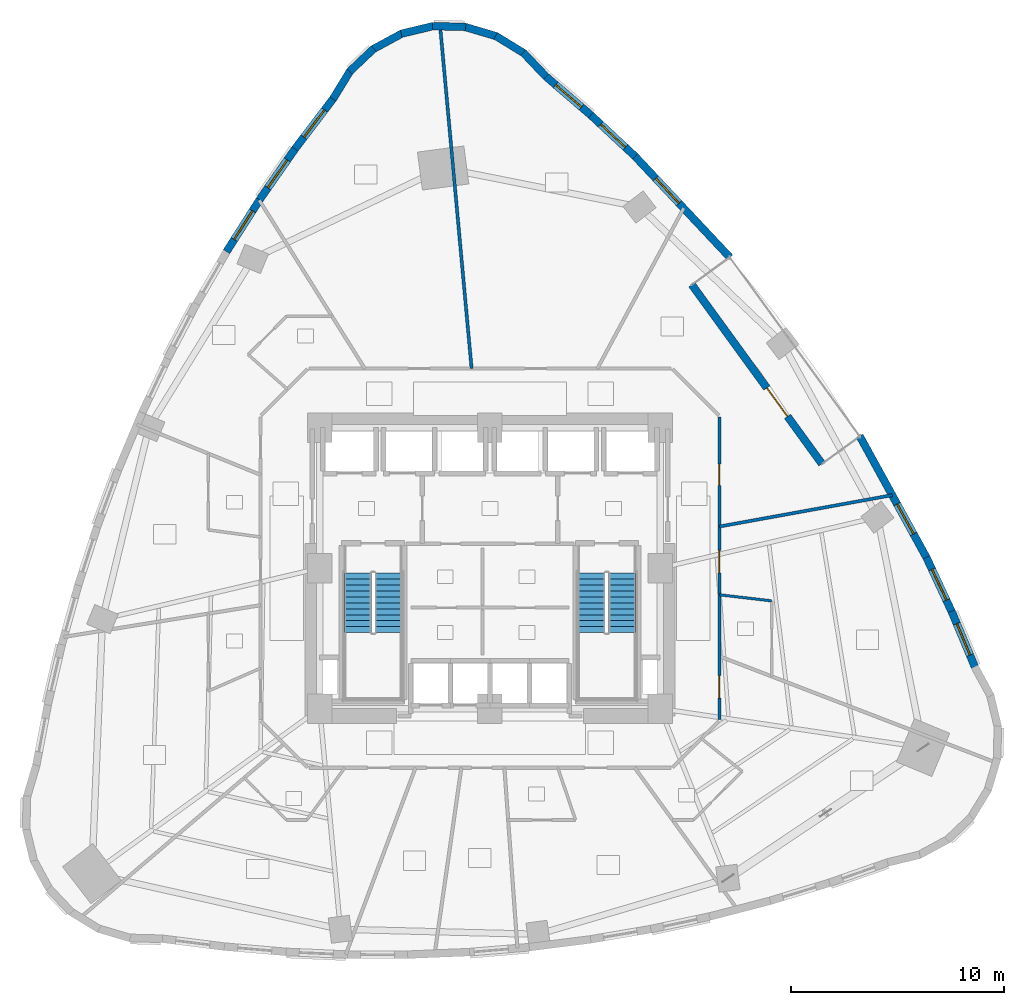
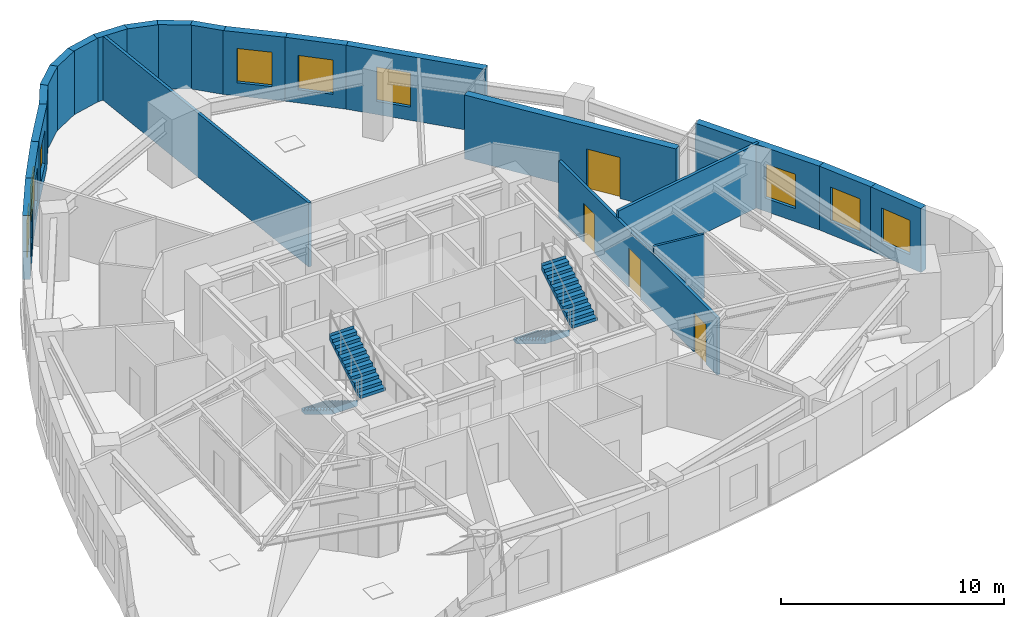
# One storey, part 12 of 15: 22 walls, 9 windows, 4 doors, 4 stair flights, 13 openings, 2 elements without a shape of their own.
"""IFC4 building model written with IfcOpenShell, lengths in metres."""

from ifc_helpers import new_model, si_unit, direction, frame, frame_2d, origin, place, context, subcontext, project, spatial, polyline, rectangle, outline, extrude, material, layer, layer_set, type_object, element, fill, aggregate, save


model = new_model("IFC4")

# Units and contexts
model_context = context("Model", 3, precision=1e-05, world=origin(), true_north=direction((0.0, 1.0)))
body_context = subcontext(model_context, "Body", "Model", "MODEL_VIEW")
ifc_project = project(units=[si_unit("LENGTHUNIT", "METRE"), si_unit("AREAUNIT", "SQUARE_METRE"), si_unit("VOLUMEUNIT", "CUBIC_METRE"), si_unit("PLANEANGLEUNIT", "RADIAN"), si_unit("MASSUNIT", "GRAM", prefix="KILO")], contexts=[model_context])

# Site, building, storey
site_placement = place(None, origin())
site = spatial("IfcSite", under=ifc_project, at=site_placement, CompositionType="ELEMENT")
building_placement = place(site_placement, origin())
building = spatial("IfcBuilding", under=site, at=building_placement, Name="Ndelora Gate Hotel", CompositionType="ELEMENT")
storey_placement = place(building_placement, frame((0.0, 0.0, 56.75)))
storey = spatial("IfcBuildingStorey", under=building, at=storey_placement, Name="L13", CompositionType="ELEMENT", Elevation=56.75)

# Wall, opening, door
ifc_material_1 = material(Name="Clay Brick Masonry", Category="masonry")
ifc_layer_1 = layer(ifc_material_1, 0.360107421875)
ifc_layer_set_1 = layer_set([ifc_layer_1], Name="Clay Brick Masonry")
wall_type_1 = type_object("IfcWallType", Name="WL-BRICK-360", PredefinedType="SOLIDWALL", material=ifc_layer_set_1)
wall_1_placement = place(storey_placement, frame((9.484619140625, 13.318603515625, 0.0), z_axis=(0.0, 0.0, 1.0), x_axis=(0.587787785243, -0.809015154073, 0.0)))
wall_1 = element("IfcWall", 1, at=wall_1_placement, inside=storey, type_object=wall_type_1, Name="L13 Sky-Garden Loggia Rear Brick Wall", PredefinedType="SOLIDWALL", context=body_context, shape_type="SweptSolid", body=[
    extrude(rectangle(XDim=10.400146484375, YDim=0.360107421875, at=frame_2d((5.2001953125, 0.0))), origin(), (0.0, 0.0, 1.0), 3.5),
])
opening_1_placement = place(wall_1_placement, frame((6.0, 0.0, 0.0)))
opening_1 = element("IfcOpeningElement", 2, at=opening_1_placement, cuts=wall_1, Name="Opening TD1", PredefinedType="OPENING", context=body_context, shape_type="SweptSolid", body=[
    extrude(rectangle(XDim=1.64990234375, YDim=2.25, at=frame_2d((0.824951171875, 1.125))), frame((0.0, 0.18994140625, 0.0), z_axis=(0.0, -1.0, 0.0), x_axis=(1.0, 0.0, 0.0)), (0.0, 0.0, 1.0), 0.380126953125),
])
ifc_material_2 = material(Name="Architectural Bronze Glazed Door", Category="metal")
door_type_1 = type_object("IfcDoorType", Name="DR-TER-1650", OperationType="DOUBLE_DOOR_SINGLE_SWING", PredefinedType="DOOR", material=ifc_material_2)
door_1_placement = place(opening_1_placement, origin())
door_1 = element("IfcDoor", 3, at=door_1_placement, inside=storey, type_object=door_type_1, Name="L13 Sky-Garden Terrace Double Door TD1", OperationType="DOUBLE_DOOR_SINGLE_SWING", OverallHeight=2.25, OverallWidth=1.64990234375, PredefinedType="DOOR", context=body_context, shape_type="SweptSolid", body=[
    extrude(rectangle(XDim=1.64990234375, YDim=2.25, at=frame_2d((0.824951171875, 1.125))), frame((0.0, 0.02490234375, 0.0), z_axis=(0.0, -1.0, 0.0), x_axis=(1.0, 0.0, 0.0)), (0.0, 0.0, 1.0), 0.050048828125),
])
fill(opening_1, door_1)

# Walls
for number, where, z_axis, x_axis, name in (
    (4, (1.5625, 24.224853515625, 0.0), (0.0, 0.0, 1.0), (0.688285711478, -0.725439714501, 0.0), "L13 Tower Brick Pier-and-Spandrel Wall TWR-1"),
    (5, (0.267333984375, 25.010986328125, 0.0), (0.0, 0.0, 1.0), (0.852578817714, -0.522598660144, 0.0), "L13 Tower Brick Pier-and-Spandrel Wall TWR-2"),
):
    element("IfcWall", number, at=place(storey_placement, frame(where, z_axis=z_axis, x_axis=x_axis)), inside=storey, type_object=wall_type_1, Name=name, PredefinedType="SOLIDWALL", context=body_context, shape_type="SweptSolid", body=[
        extrude(rectangle(XDim=1.56396484375, YDim=0.360107421875, at=frame_2d((0.781982421875, 0.0))), origin(), (0.0, 0.0, 1.0), 3.5),
    ])
wall_2_placement = place(storey_placement, frame((-1.187255859375, 25.43505859375, 0.0), z_axis=(0.0, 0.0, 1.0), x_axis=(0.958804410816, -0.284067072714, 0.0)))
element("IfcWall", 6, at=wall_2_placement, inside=storey, type_object=wall_type_1, Name="L13 Tower Brick Pier-and-Spandrel Wall TWR-3", PredefinedType="SOLIDWALL", context=body_context, shape_type="SweptSolid", body=[
    extrude(rectangle(XDim=1.564208984375, YDim=0.360107421875, at=frame_2d((0.7822265625, 0.0))), origin(), (0.0, 0.0, 1.0), 3.5),
])
wall_3_placement = place(storey_placement, frame((-2.70166015625, 25.46826171875, 0.0), z_axis=(0.0, 0.0, 1.0), x_axis=(0.999656076517, -0.026224581645, 0.0)))
element("IfcWall", 7, at=wall_3_placement, inside=storey, type_object=wall_type_1, Name="L13 Tower Brick Pier-and-Spandrel Wall TWR-4", PredefinedType="SOLIDWALL", context=body_context, shape_type="SweptSolid", body=[
    extrude(rectangle(XDim=1.56396484375, YDim=0.360107421875, at=frame_2d((0.781982421875, 0.0))), origin(), (0.0, 0.0, 1.0), 3.5),
])
for number, where, z_axis, x_axis, name in (
    (8, (-4.17333984375, 25.1083984375, 0.0), (0.0, 0.0, 1.0), (0.972394385461, 0.233343435998, 0.0), "L13 Tower Brick Pier-and-Spandrel Wall TWR-5"),
    (9, (-5.501708984375, 24.379638671875, 0.0), (0.0, 0.0, 1.0), (0.878842213123, 0.477112528062, 0.0), "L13 Tower Brick Pier-and-Spandrel Wall TWR-6"),
):
    element("IfcWall", number, at=place(storey_placement, frame(where, z_axis=z_axis, x_axis=x_axis)), inside=storey, type_object=wall_type_1, Name=name, PredefinedType="SOLIDWALL", context=body_context, shape_type="SweptSolid", body=[
        extrude(rectangle(XDim=1.564208984375, YDim=0.360107421875, at=frame_2d((0.7822265625, 0.0))), origin(), (0.0, 0.0, 1.0), 3.5),
    ])
for number, where, z_axis, x_axis, name in (
    (10, (-6.595947265625, 23.332275390625, 0.0), (0.0, 0.0, 1.0), (0.725439714501, 0.688285711478, 0.0), "L13 Tower Brick Pier-and-Spandrel Wall TWR-7"),
    (11, (-7.382080078125, 22.037109375, 0.0), (0.0, 0.0, 1.0), (0.522598660144, 0.852578817714, 0.0), "L13 Tower Brick Pier-and-Spandrel Wall TWR-8"),
):
    element("IfcWall", number, at=place(storey_placement, frame(where, z_axis=z_axis, x_axis=x_axis)), inside=storey, type_object=wall_type_1, Name=name, PredefinedType="SOLIDWALL", context=body_context, shape_type="SweptSolid", body=[
        extrude(rectangle(XDim=1.56396484375, YDim=0.360107421875, at=frame_2d((0.781982421875, 0.0))), origin(), (0.0, 0.0, 1.0), 3.5),
    ])

# Wall, opening, window
wall_4_placement = place(storey_placement, frame((-9.1611328125, 19.7001953125, 0.0), z_axis=(0.0, 0.0, 1.0), x_axis=(0.605023164489, 0.796207868858, 0.0)))
wall_4 = element("IfcWall", 12, at=wall_4_placement, inside=storey, type_object=wall_type_1, Name="L13 Tower Brick Pier-and-Spandrel Wall TWR-9", PredefinedType="SOLIDWALL", context=body_context, shape_type="SweptSolid", body=[
    extrude(rectangle(XDim=2.98681640625, YDim=0.360107421875, at=frame_2d((1.493408203125, 0.0))), origin(), (0.0, 0.0, 1.0), 3.5),
])
opening_2_placement = place(wall_4_placement, frame((0.693603515625, 0.0, 0.719970703125)))
opening_2 = element("IfcOpeningElement", 13, at=opening_2_placement, cuts=wall_4, Name="Opening W03", PredefinedType="OPENING", context=body_context, shape_type="SweptSolid", body=[
    extrude(rectangle(XDim=1.60009765625, YDim=1.8798828125, at=frame_2d((0.800048828125, 0.93994140625))), frame((0.0, 0.18994140625, 0.0), z_axis=(0.0, -1.0, 0.0), x_axis=(1.0, 0.0, 0.0)), (0.0, 0.0, 1.0), 0.380126953125),
])
ifc_material_3 = material(Name="Insulated Low-E Double Glazing in Bronze Aluminium Frame", Category="aluminium")
window_type_1 = type_object("IfcWindowType", Name="WN-CORN-2100", PartitioningType="SINGLE_PANEL", PredefinedType="WINDOW", material=ifc_material_3)
window_1_placement = place(opening_2_placement, origin())
window_1 = element("IfcWindow", 14, at=window_1_placement, inside=storey, type_object=window_type_1, Name="L13 Deep-Set Brick-Pier Window W03", OverallHeight=1.8798828125, OverallWidth=1.60009765625, PartitioningType="SINGLE_PANEL", PredefinedType="WINDOW", context=body_context, shape_type="SweptSolid", body=[
    extrude(rectangle(XDim=1.60009765625, YDim=1.8798828125, at=frame_2d((0.800048828125, 0.93994140625))), frame((0.0, 0.030029296875, 0.0), z_axis=(0.0, -1.0, 0.0), x_axis=(1.0, 0.0, 0.0)), (0.0, 0.0, 1.0), 0.06005859375),
])
fill(opening_2, window_1)

wall_5_placement = place(storey_placement, frame((-10.82568359375, 17.311279296875, 0.0), z_axis=(0.0, 0.0, 1.0), x_axis=(0.572022980857, 0.820237593245, 0.0)))
wall_5 = element("IfcWall", 15, at=wall_5_placement, inside=storey, type_object=wall_type_1, Name="L13 Tower Brick Pier-and-Spandrel Wall TWR-10", PredefinedType="SOLIDWALL", context=body_context, shape_type="SweptSolid", body=[
    extrude(rectangle(XDim=2.961669921875, YDim=0.360107421875, at=frame_2d((1.48095703125, 0.0))), origin(), (0.0, 0.0, 1.0), 3.5),
])
opening_3_placement = place(wall_5_placement, frame((0.6806640625, 0.0, 0.719970703125)))
opening_3 = element("IfcOpeningElement", 16, at=opening_3_placement, cuts=wall_5, Name="Opening W01", PredefinedType="OPENING", context=body_context, shape_type="SweptSolid", body=[
    extrude(rectangle(XDim=1.60009765625, YDim=1.8798828125, at=frame_2d((0.800048828125, 0.93994140625))), frame((0.0, 0.18994140625, 0.0), z_axis=(0.0, -1.0, 0.0), x_axis=(1.0, 0.0, 0.0)), (0.0, 0.0, 1.0), 0.380126953125),
])
window_type_2 = type_object("IfcWindowType", Name="WN-DEEP-1600", PartitioningType="SINGLE_PANEL", PredefinedType="WINDOW", material=ifc_material_3)
window_2_placement = place(opening_3_placement, origin())
window_2 = element("IfcWindow", 17, at=window_2_placement, inside=storey, type_object=window_type_2, Name="L13 Deep-Set Brick-Pier Window W01", OverallHeight=1.8798828125, OverallWidth=1.60009765625, PartitioningType="SINGLE_PANEL", PredefinedType="WINDOW", context=body_context, shape_type="SweptSolid", body=[
    extrude(rectangle(XDim=1.60009765625, YDim=1.8798828125, at=frame_2d((0.800048828125, 0.93994140625))), frame((0.0, 0.030029296875, 0.0), z_axis=(0.0, -1.0, 0.0), x_axis=(1.0, 0.0, 0.0)), (0.0, 0.0, 1.0), 0.06005859375),
])
fill(opening_3, window_2)

wall_6_placement = place(storey_placement, frame((-12.37841796875, 14.872802734375, 0.0), z_axis=(0.0, 0.0, 1.0), x_axis=(0.537417887212, 0.843316082204, 0.0)))
wall_6 = element("IfcWall", 18, at=wall_6_placement, inside=storey, type_object=wall_type_1, Name="L13 Tower Brick Pier-and-Spandrel Wall TWR-11", PredefinedType="SOLIDWALL", context=body_context, shape_type="SweptSolid", body=[
    extrude(rectangle(XDim=2.94091796875, YDim=0.360107421875, at=frame_2d((1.470458984375, 0.0))), origin(), (0.0, 0.0, 1.0), 3.5),
])
opening_4_placement = place(wall_6_placement, frame((0.67041015625, 0.0, 0.719970703125)))
opening_4 = element("IfcOpeningElement", 19, at=opening_4_placement, cuts=wall_6, Name="Opening W01", PredefinedType="OPENING", context=body_context, shape_type="SweptSolid", body=[
    extrude(rectangle(XDim=1.60009765625, YDim=1.8798828125, at=frame_2d((0.800048828125, 0.93994140625))), frame((0.0, 0.18994140625, 0.0), z_axis=(0.0, -1.0, 0.0), x_axis=(1.0, 0.0, 0.0)), (0.0, 0.0, 1.0), 0.380126953125),
])
window_3_placement = place(opening_4_placement, origin())
window_3 = element("IfcWindow", 20, at=window_3_placement, inside=storey, type_object=window_type_2, Name="L13 Deep-Set Brick-Pier Window W01", OverallHeight=1.8798828125, OverallWidth=1.60009765625, PartitioningType="SINGLE_PANEL", PredefinedType="WINDOW", context=body_context, shape_type="SweptSolid", body=[
    extrude(rectangle(XDim=1.60009765625, YDim=1.8798828125, at=frame_2d((0.800048828125, 0.93994140625))), frame((0.0, 0.030029296875, 0.0), z_axis=(0.0, -1.0, 0.0), x_axis=(1.0, 0.0, 0.0)), (0.0, 0.0, 1.0), 0.06005859375),
])
fill(opening_4, window_3)

wall_7_placement = place(storey_placement, frame((21.688720703125, -2.023193359375, 0.0), z_axis=(0.0, 0.0, 1.0), x_axis=(0.386287899082, -0.922378262441, 0.0)))
wall_7 = element("IfcWall", 21, at=wall_7_placement, inside=storey, type_object=wall_type_1, Name="L13 Tower Brick Pier-and-Spandrel Wall TWR-49", PredefinedType="SOLIDWALL", context=body_context, shape_type="SweptSolid", body=[
    extrude(rectangle(XDim=2.869873046875, YDim=0.360107421875, at=frame_2d((1.43505859375, 0.0))), origin(), (0.0, 0.0, 1.0), 3.5),
])
opening_5_placement = place(wall_7_placement, frame((0.635009765625, 0.0, 0.719970703125)))
opening_5 = element("IfcOpeningElement", 22, at=opening_5_placement, cuts=wall_7, Name="Opening W03", PredefinedType="OPENING", context=body_context, shape_type="SweptSolid", body=[
    extrude(rectangle(XDim=1.60009765625, YDim=1.8798828125, at=frame_2d((0.800048828125, 0.93994140625))), frame((0.0, 0.18994140625, 0.0), z_axis=(0.0, -1.0, 0.0), x_axis=(1.0, 0.0, 0.0)), (0.0, 0.0, 1.0), 0.380126953125),
])
window_4_placement = place(opening_5_placement, origin())
window_4 = element("IfcWindow", 23, at=window_4_placement, inside=storey, type_object=window_type_1, Name="L13 Deep-Set Brick-Pier Window W03", OverallHeight=1.8798828125, OverallWidth=1.60009765625, PartitioningType="SINGLE_PANEL", PredefinedType="WINDOW", context=body_context, shape_type="SweptSolid", body=[
    extrude(rectangle(XDim=1.60009765625, YDim=1.8798828125, at=frame_2d((0.800048828125, 0.93994140625))), frame((0.0, 0.030029296875, 0.0), z_axis=(0.0, -1.0, 0.0), x_axis=(1.0, 0.0, 0.0)), (0.0, 0.0, 1.0), 0.06005859375),
])
fill(opening_5, window_4)

wall_8_placement = place(storey_placement, frame((20.50732421875, 0.511474609375, 0.0), z_axis=(0.0, 0.0, 1.0), x_axis=(0.422134095938, -0.906533399851, 0.0)))
wall_8 = element("IfcWall", 24, at=wall_8_placement, inside=storey, type_object=wall_type_1, Name="L13 Tower Brick Pier-and-Spandrel Wall TWR-50", PredefinedType="SOLIDWALL", context=body_context, shape_type="SweptSolid", body=[
    extrude(rectangle(XDim=2.8466796875, YDim=0.360107421875, at=frame_2d((1.42333984375, 0.0))), origin(), (0.0, 0.0, 1.0), 3.5),
])
opening_6_placement = place(wall_8_placement, frame((0.623291015625, 0.0, 0.719970703125)))
opening_6 = element("IfcOpeningElement", 25, at=opening_6_placement, cuts=wall_8, Name="Opening W01", PredefinedType="OPENING", context=body_context, shape_type="SweptSolid", body=[
    extrude(rectangle(XDim=1.60009765625, YDim=1.8798828125, at=frame_2d((0.800048828125, 0.93994140625))), frame((0.0, 0.18994140625, 0.0), z_axis=(0.0, -1.0, 0.0), x_axis=(1.0, 0.0, 0.0)), (0.0, 0.0, 1.0), 0.380126953125),
])
window_5_placement = place(opening_6_placement, origin())
window_5 = element("IfcWindow", 26, at=window_5_placement, inside=storey, type_object=window_type_2, Name="L13 Deep-Set Brick-Pier Window W01", OverallHeight=1.8798828125, OverallWidth=1.60009765625, PartitioningType="SINGLE_PANEL", PredefinedType="WINDOW", context=body_context, shape_type="SweptSolid", body=[
    extrude(rectangle(XDim=1.60009765625, YDim=1.8798828125, at=frame_2d((0.800048828125, 0.93994140625))), frame((0.0, 0.030029296875, 0.0), z_axis=(0.0, -1.0, 0.0), x_axis=(1.0, 0.0, 0.0)), (0.0, 0.0, 1.0), 0.06005859375),
])
fill(opening_6, window_5)

wall_9_placement = place(storey_placement, frame((17.365478515625, 6.2197265625, 0.0), z_axis=(0.0, 0.0, 1.0), x_axis=(0.481970134715, -0.876187644995, 0.0)))
wall_9 = element("IfcWall", 27, at=wall_9_placement, inside=storey, type_object=wall_type_1, Name="L13 Tower Brick Pier-and-Spandrel Wall TWR-51", PredefinedType="SOLIDWALL", context=body_context, shape_type="SweptSolid", body=[
    extrude(rectangle(XDim=6.56591796875, YDim=0.360107421875, at=frame_2d((3.282958984375, 0.0))), origin(), (0.0, 0.0, 1.0), 3.5),
])
opening_7_placement = place(wall_9_placement, frame((3.659912109375, 0.0, 0.719970703125)))
opening_7 = element("IfcOpeningElement", 28, at=opening_7_placement, cuts=wall_9, Name="Opening W01", PredefinedType="OPENING", context=body_context, shape_type="SweptSolid", body=[
    extrude(rectangle(XDim=1.60009765625, YDim=1.8798828125, at=frame_2d((0.800048828125, 0.93994140625))), frame((0.0, 0.18994140625, 0.0), z_axis=(0.0, -1.0, 0.0), x_axis=(1.0, 0.0, 0.0)), (0.0, 0.0, 1.0), 0.380126953125),
])
window_6_placement = place(opening_7_placement, origin())
window_6 = element("IfcWindow", 29, at=window_6_placement, inside=storey, type_object=window_type_2, Name="L13 Deep-Set Brick-Pier Window W01", OverallHeight=1.8798828125, OverallWidth=1.60009765625, PartitioningType="SINGLE_PANEL", PredefinedType="WINDOW", context=body_context, shape_type="SweptSolid", body=[
    extrude(rectangle(XDim=1.60009765625, YDim=1.8798828125, at=frame_2d((0.800048828125, 0.93994140625))), frame((0.0, 0.030029296875, 0.0), z_axis=(0.0, -1.0, 0.0), x_axis=(1.0, 0.0, 0.0)), (0.0, 0.0, 1.0), 0.06005859375),
])
fill(opening_7, window_6)

wall_10_placement = place(storey_placement, frame((6.7880859375, 19.380859375, 0.0), z_axis=(0.0, 0.0, 1.0), x_axis=(0.684367736507, -0.729137025002, 0.0)))
wall_10 = element("IfcWall", 30, at=wall_10_placement, inside=storey, type_object=wall_type_1, Name="L13 Tower Brick Pier-and-Spandrel Wall TWR-56", PredefinedType="SOLIDWALL", context=body_context, shape_type="SweptSolid", body=[
    extrude(rectangle(XDim=6.565673828125, YDim=0.360107421875, at=frame_2d((3.28271484375, 0.0))), origin(), (0.0, 0.0, 1.0), 3.5),
])
opening_8_placement = place(wall_10_placement, frame((1.4599609375, 0.0, 0.719970703125)))
opening_8 = element("IfcOpeningElement", 31, at=opening_8_placement, cuts=wall_10, Name="Opening W01", PredefinedType="OPENING", context=body_context, shape_type="SweptSolid", body=[
    extrude(rectangle(XDim=1.60009765625, YDim=1.8798828125, at=frame_2d((0.800048828125, 0.93994140625))), frame((0.0, 0.18994140625, 0.0), z_axis=(0.0, -1.0, 0.0), x_axis=(1.0, 0.0, 0.0)), (0.0, 0.0, 1.0), 0.380126953125),
])
window_7_placement = place(opening_8_placement, origin())
window_7 = element("IfcWindow", 32, at=window_7_placement, inside=storey, type_object=window_type_2, Name="L13 Deep-Set Brick-Pier Window W01", OverallHeight=1.8798828125, OverallWidth=1.60009765625, PartitioningType="SINGLE_PANEL", PredefinedType="WINDOW", context=body_context, shape_type="SweptSolid", body=[
    extrude(rectangle(XDim=1.60009765625, YDim=1.8798828125, at=frame_2d((0.800048828125, 0.93994140625))), frame((0.0, 0.030029296875, 0.0), z_axis=(0.0, -1.0, 0.0), x_axis=(1.0, 0.0, 0.0)), (0.0, 0.0, 1.0), 0.06005859375),
])
fill(opening_8, window_7)

wall_11_placement = place(storey_placement, frame((4.74072265625, 21.28564453125, 0.0), z_axis=(0.0, 0.0, 1.0), x_axis=(0.731750871634, -0.68157219857, 0.0)))
wall_11 = element("IfcWall", 33, at=wall_11_placement, inside=storey, type_object=wall_type_1, Name="L13 Tower Brick Pier-and-Spandrel Wall TWR-57", PredefinedType="SOLIDWALL", context=body_context, shape_type="SweptSolid", body=[
    extrude(rectangle(XDim=2.84619140625, YDim=0.360107421875, at=frame_2d((1.423095703125, 0.0))), origin(), (0.0, 0.0, 1.0), 3.5),
])
opening_9_placement = place(wall_11_placement, frame((0.623291015625, 0.0, 0.719970703125)))
opening_9 = element("IfcOpeningElement", 34, at=opening_9_placement, cuts=wall_11, Name="Opening W03", PredefinedType="OPENING", context=body_context, shape_type="SweptSolid", body=[
    extrude(rectangle(XDim=1.60009765625, YDim=1.8798828125, at=frame_2d((0.800048828125, 0.93994140625))), frame((0.0, 0.18994140625, 0.0), z_axis=(0.0, -1.0, 0.0), x_axis=(1.0, 0.0, 0.0)), (0.0, 0.0, 1.0), 0.380126953125),
])
window_8_placement = place(opening_9_placement, origin())
window_8 = element("IfcWindow", 35, at=window_8_placement, inside=storey, type_object=window_type_1, Name="L13 Deep-Set Brick-Pier Window W03", OverallHeight=1.8798828125, OverallWidth=1.60009765625, PartitioningType="SINGLE_PANEL", PredefinedType="WINDOW", context=body_context, shape_type="SweptSolid", body=[
    extrude(rectangle(XDim=1.60009765625, YDim=1.8798828125, at=frame_2d((0.800048828125, 0.93994140625))), frame((0.0, 0.030029296875, 0.0), z_axis=(0.0, -1.0, 0.0), x_axis=(1.0, 0.0, 0.0)), (0.0, 0.0, 1.0), 0.06005859375),
])
fill(opening_9, window_8)

wall_12_placement = place(storey_placement, frame((2.602783203125, 23.124755859375, 0.0), z_axis=(0.0, 0.0, 1.0), x_axis=(0.757915995352, -0.652352162554, 0.0)))
wall_12 = element("IfcWall", 36, at=wall_12_placement, inside=storey, type_object=wall_type_1, Name="L13 Tower Brick Pier-and-Spandrel Wall TWR-58", PredefinedType="SOLIDWALL", context=body_context, shape_type="SweptSolid", body=[
    extrude(rectangle(XDim=2.8701171875, YDim=0.360107421875, at=frame_2d((1.43505859375, 0.0))), origin(), (0.0, 0.0, 1.0), 3.5),
])
opening_10_placement = place(wall_12_placement, frame((0.635009765625, 0.0, 0.719970703125)))
opening_10 = element("IfcOpeningElement", 37, at=opening_10_placement, cuts=wall_12, Name="Opening W01", PredefinedType="OPENING", context=body_context, shape_type="SweptSolid", body=[
    extrude(rectangle(XDim=1.60009765625, YDim=1.8798828125, at=frame_2d((0.800048828125, 0.93994140625))), frame((0.0, 0.18994140625, 0.0), z_axis=(0.0, -1.0, 0.0), x_axis=(1.0, 0.0, 0.0)), (0.0, 0.0, 1.0), 0.380126953125),
])
window_9_placement = place(opening_10_placement, origin())
window_9 = element("IfcWindow", 38, at=window_9_placement, inside=storey, type_object=window_type_2, Name="L13 Deep-Set Brick-Pier Window W01", OverallHeight=1.8798828125, OverallWidth=1.60009765625, PartitioningType="SINGLE_PANEL", PredefinedType="WINDOW", context=body_context, shape_type="SweptSolid", body=[
    extrude(rectangle(XDim=1.60009765625, YDim=1.8798828125, at=frame_2d((0.800048828125, 0.93994140625))), frame((0.0, 0.030029296875, 0.0), z_axis=(0.0, -1.0, 0.0), x_axis=(1.0, 0.0, 0.0)), (0.0, 0.0, 1.0), 0.06005859375),
])
fill(opening_10, window_9)

# Wall, openings, doors
ifc_material_4 = material(Name="Fire-Rated Gypsum Stud Partition", Category="gypsum")
ifc_layer_2 = layer(ifc_material_4, 0.14990234375)
ifc_layer_set_2 = layer_set([ifc_layer_2], Name="Fire-Rated Gypsum Stud Partition")
wall_type_2 = type_object("IfcWallType", Name="WL-PART-150", PredefinedType="PARTITIONING", material=ifc_layer_set_2)
wall_13_placement = place(storey_placement, frame((10.780029296875, 7.110107421875, 0.0), z_axis=(0.0, 0.0, 1.0), x_axis=(0.0, -1.0, 0.0)))
wall_13 = element("IfcWall", 39, at=wall_13_placement, inside=storey, type_object=wall_type_2, Name="L13 Interior Wall IW-5", PredefinedType="PARTITIONING", context=body_context, shape_type="SweptSolid", body=[
    extrude(rectangle(XDim=14.22021484375, YDim=0.14990234375, at=frame_2d((7.110107421875, 0.0))), origin(), (0.0, 0.0, 1.0), 3.1201171875),
])
opening_11_placement = place(wall_13_placement, frame((2.216796875, 0.0, 0.0)))
opening_11 = element("IfcOpeningElement", 40, at=opening_11_placement, cuts=wall_13, Name="Opening D01", PredefinedType="OPENING", context=body_context, shape_type="SweptSolid", body=[
    extrude(rectangle(XDim=1.0, YDim=2.14990234375, at=frame_2d((0.5, 1.074951171875))), frame((0.0, 0.0849609375, 0.0), z_axis=(0.0, -1.0, 0.0), x_axis=(1.0, 0.0, 0.0)), (0.0, 0.0, 1.0), 0.169921875),
])
opening_12_placement = place(wall_13_placement, frame((6.27587890625, 0.0, 0.0)))
opening_12 = element("IfcOpeningElement", 41, at=opening_12_placement, cuts=wall_13, Name="Opening D07", PredefinedType="OPENING", context=body_context, shape_type="SweptSolid", body=[
    extrude(rectangle(XDim=1.06005859375, YDim=2.14990234375, at=frame_2d((0.530029296875, 1.074951171875))), frame((0.0, 0.0849609375, 0.0), z_axis=(0.0, -1.0, 0.0), x_axis=(1.0, 0.0, 0.0)), (0.0, 0.0, 1.0), 0.169921875),
])
opening_13_placement = place(wall_13_placement, frame((12.156005859375, 0.0, 0.0)))
opening_13 = element("IfcOpeningElement", 42, at=opening_13_placement, cuts=wall_13, Name="Opening D07", PredefinedType="OPENING", context=body_context, shape_type="SweptSolid", body=[
    extrude(rectangle(XDim=1.06005859375, YDim=2.14990234375, at=frame_2d((0.530029296875, 1.074951171875))), frame((0.0, 0.0849609375, 0.0), z_axis=(0.0, -1.0, 0.0), x_axis=(1.0, 0.0, 0.0)), (0.0, 0.0, 1.0), 0.169921875),
])
ifc_material_5 = material(Name="Acoustic Hardwood Guest Entrance Door", Category="wood")
door_type_2 = type_object("IfcDoorType", Name="DR-COR-1000", OperationType="SINGLE_SWING_LEFT", PredefinedType="DOOR", material=ifc_material_5)
door_2_placement = place(opening_11_placement, origin())
door_2 = element("IfcDoor", 43, at=door_2_placement, inside=storey, type_object=door_type_2, Name="L13 Sky Garden Tea Dining Room Entrance Door", OperationType="SINGLE_SWING_LEFT", OverallHeight=2.14990234375, OverallWidth=1.0, PredefinedType="DOOR", context=body_context, shape_type="SweptSolid", body=[
    extrude(rectangle(XDim=1.0, YDim=2.14990234375, at=frame_2d((0.5, 1.074951171875))), frame((0.0, 0.02490234375, 0.0), z_axis=(0.0, -1.0, 0.0), x_axis=(1.0, 0.0, 0.0)), (0.0, 0.0, 1.0), 0.050048828125),
])
fill(opening_11, door_2)
ifc_material_6 = material(Name="Diplomatic Suite Acoustic Entrance Door", Category="wood")
door_type_3 = type_object("IfcDoorType", Name="DR-SUITE-1060", OperationType="SINGLE_SWING_LEFT", PredefinedType="DOOR", material=ifc_material_6)
door_3_placement = place(opening_12_placement, origin())
door_3 = element("IfcDoor", 44, at=door_3_placement, inside=storey, type_object=door_type_3, Name="L13 Twin Junior Suite 1603 Entrance Door", OperationType="SINGLE_SWING_LEFT", OverallHeight=2.14990234375, OverallWidth=1.06005859375, PredefinedType="DOOR", context=body_context, shape_type="SweptSolid", body=[
    extrude(rectangle(XDim=1.06005859375, YDim=2.14990234375, at=frame_2d((0.530029296875, 1.074951171875))), frame((0.0, 0.02490234375, 0.0), z_axis=(0.0, -1.0, 0.0), x_axis=(1.0, 0.0, 0.0)), (0.0, 0.0, 1.0), 0.050048828125),
])
fill(opening_12, door_3)
door_4_placement = place(opening_13_placement, origin())
door_4 = element("IfcDoor", 45, at=door_4_placement, inside=storey, type_object=door_type_3, Name="L13 Deluxe King Junior Suite 1602 Entrance Door", OperationType="SINGLE_SWING_RIGHT", OverallHeight=2.14990234375, OverallWidth=1.06005859375, PredefinedType="DOOR", context=body_context, shape_type="SweptSolid", body=[
    extrude(rectangle(XDim=1.06005859375, YDim=2.14990234375, at=frame_2d((0.530029296875, 1.074951171875))), frame((0.0, 0.02490234375, 0.0), z_axis=(0.0, -1.0, 0.0), x_axis=(1.0, 0.0, 0.0)), (0.0, 0.0, 1.0), 0.050048828125),
])
fill(opening_13, door_4)

# Walls
wall_14_placement = place(storey_placement, frame((10.780029296875, 1.956298828125, 0.0), z_axis=(0.0, 0.0, 1.0), x_axis=(0.983928549694, 0.178562619542, 0.0)))
element("IfcWall", 46, at=wall_14_placement, inside=storey, type_object=wall_type_2, Name="L13 Interior Wall IW-5", PredefinedType="PARTITIONING", context=body_context, shape_type="SweptSolid", body=[
    extrude(rectangle(XDim=8.252685546875, YDim=0.14990234375, at=frame_2d((4.12646484375, 0.0))), origin(), (0.0, 0.0, 1.0), 3.5),
])
wall_15_placement = place(storey_placement, frame((-0.86279296875, 9.3798828125, 0.0), z_axis=(0.0, 0.0, 1.0), x_axis=(-0.091567710563, 0.99579885237, 0.0)))
element("IfcWall", 47, at=wall_15_placement, inside=storey, type_object=wall_type_2, Name="L13 Interior Wall IW-5", PredefinedType="PARTITIONING", context=body_context, shape_type="SweptSolid", body=[
    extrude(rectangle(XDim=16.146728515625, YDim=0.14990234375, at=frame_2d((8.0732421875, 0.0))), origin(), (0.0, 0.0, 1.0), 3.5),
])
ifc_material_7 = material(Name="Moisture-Resistant Bathroom Tile Partition", Category="gypsum")
ifc_layer_3 = layer(ifc_material_7, 0.1201171875)
ifc_layer_set_3 = layer_set([ifc_layer_3], Name="Moisture-Resistant Bathroom Tile Partition")
wall_type_3 = type_object("IfcWallType", Name="WL-WET-120", PredefinedType="PARTITIONING", material=ifc_layer_set_3)
wall_16_placement = place(storey_placement, frame((13.22998046875, -1.53515625, 0.0), z_axis=(0.0, 0.0, 1.0), x_axis=(-0.993328492048, 0.115319152291, 0.0)))
element("IfcWall", 48, at=wall_16_placement, inside=storey, type_object=wall_type_3, Name="L13 Interior Wall IW-7", PredefinedType="PARTITIONING", context=body_context, shape_type="SweptSolid", body=[
    extrude(rectangle(XDim=2.46630859375, YDim=0.1201171875, at=frame_2d((1.233154296875, 0.0))), origin(), (0.0, 0.0, 1.0), 3.5),
])

# Stair, stair flights
ifc_material_8 = material(Name="Precast concrete C40/50", Category="concrete")
stair_type = type_object("IfcStairType", Name="STR-DOG-CORE", PredefinedType="HALF_TURN_STAIR", material=ifc_material_8)
stair_1_placement = place(storey_placement, origin())
stair_1 = element("IfcStair", 49, at=stair_1_placement, inside=storey, type_object=stair_type, Name="L13 Protected Core Exit Stair ST4", PredefinedType="HALF_TURN_STAIR")
stair_flight_type = type_object("IfcStairFlightType", Name="STF-PRECAST", PredefinedType="STRAIGHT", material=ifc_material_8)
stair_flight_1_placement = place(storey_placement, frame((-6.2099609375, -0.22998046875, 0.0), z_axis=(0.0, 0.0, 1.0), x_axis=(0.0, -1.0, 0.0)))
stair_flight_1 = element("IfcStairFlight", 50, at=stair_flight_1_placement, type_object=stair_flight_type, Name="ST4 flight 1", NumberOfRisers=11, NumberOfTreads=10, PredefinedType="STRAIGHT", RiserHeight=0.170454545, TreadLength=0.28, context=body_context, shape_type="SweptSolid", body=[
    extrude(outline(polyline([(-0.00048828125, 0.0), (-0.00048828125, 0.17041015625), (0.0, 0.17041015625), (0.280029296875, 0.17041015625), (0.280029296875, 0.3408203125), (0.56005859375, 0.3408203125), (0.56005859375, 0.511474609375), (0.840087890625, 0.511474609375), (0.840087890625, 0.681884765625), (1.1201171875, 0.681884765625), (1.1201171875, 0.852294921875), (1.39990234375, 0.852294921875), (1.39990234375, 1.022705078125), (1.679931640625, 1.022705078125), (1.679931640625, 1.193115234375), (1.9599609375, 1.193115234375), (1.9599609375, 1.363525390625), (2.239990234375, 1.363525390625), (2.239990234375, 1.5341796875), (2.52001953125, 1.5341796875), (2.52001953125, 1.70458984375), (2.800048828125, 1.70458984375), (2.800048828125, 1.875), (2.800537109375, 1.875), (2.800537109375, 1.695068359375), (2.800048828125, 1.529052734375), (0.288330078125, 0.0), (-0.00048828125, 0.0)])), frame((0.0, 0.64013671875, 0.0), z_axis=(0.0, -1.0, 0.0), x_axis=(1.0, 0.0, 0.0)), (0.0, 0.0, 1.0), 1.280029296875),
])
stair_flight_2_placement = place(storey_placement, frame((-4.77001953125, -3.030029296875, 1.875), z_axis=(0.0, 0.0, 1.0), x_axis=(0.0, 1.0, 0.0)))
stair_flight_2 = element("IfcStairFlight", 51, at=stair_flight_2_placement, type_object=stair_flight_type, Name="ST4 flight 2", NumberOfRisers=11, NumberOfTreads=10, PredefinedType="STRAIGHT", RiserHeight=0.170454545, TreadLength=0.28, context=body_context, shape_type="SweptSolid", body=[
    extrude(outline(polyline([(-0.00048828125, 0.0), (-0.00048828125, 0.17041015625), (0.0, 0.17041015625), (0.280029296875, 0.17041015625), (0.280029296875, 0.3408203125), (0.56005859375, 0.3408203125), (0.56005859375, 0.511474609375), (0.840087890625, 0.511474609375), (0.840087890625, 0.681884765625), (1.1201171875, 0.681884765625), (1.1201171875, 0.852294921875), (1.39990234375, 0.852294921875), (1.39990234375, 1.022705078125), (1.679931640625, 1.022705078125), (1.679931640625, 1.193115234375), (1.9599609375, 1.193115234375), (1.9599609375, 1.363525390625), (2.239990234375, 1.363525390625), (2.239990234375, 1.5341796875), (2.52001953125, 1.5341796875), (2.52001953125, 1.70458984375), (2.800048828125, 1.70458984375), (2.800048828125, 1.875), (2.800537109375, 1.875), (2.800537109375, 1.695068359375), (2.800048828125, 1.529052734375), (0.288330078125, 0.0), (-0.00048828125, 0.0)])), frame((0.0, 0.64013671875, 0.0), z_axis=(0.0, -1.0, 0.0), x_axis=(1.0, 0.0, 0.0)), (0.0, 0.0, 1.0), 1.280029296875),
])
aggregate(stair_1, [stair_flight_1, stair_flight_2])

stair_2_placement = place(storey_placement, origin())
stair_2 = element("IfcStair", 52, at=stair_2_placement, inside=storey, type_object=stair_type, Name="L13 Protected Core Exit Stair ST5", PredefinedType="HALF_TURN_STAIR")
stair_flight_3_placement = place(storey_placement, frame((4.77001953125, -0.22998046875, 0.0), z_axis=(0.0, 0.0, 1.0), x_axis=(0.0, -1.0, 0.0)))
stair_flight_3 = element("IfcStairFlight", 53, at=stair_flight_3_placement, type_object=stair_flight_type, Name="ST5 flight 1", NumberOfRisers=11, NumberOfTreads=10, PredefinedType="STRAIGHT", RiserHeight=0.170454545, TreadLength=0.28, context=body_context, shape_type="SweptSolid", body=[
    extrude(outline(polyline([(-0.00048828125, 0.0), (-0.00048828125, 0.17041015625), (0.0, 0.17041015625), (0.280029296875, 0.17041015625), (0.280029296875, 0.3408203125), (0.56005859375, 0.3408203125), (0.56005859375, 0.511474609375), (0.840087890625, 0.511474609375), (0.840087890625, 0.681884765625), (1.1201171875, 0.681884765625), (1.1201171875, 0.852294921875), (1.39990234375, 0.852294921875), (1.39990234375, 1.022705078125), (1.679931640625, 1.022705078125), (1.679931640625, 1.193115234375), (1.9599609375, 1.193115234375), (1.9599609375, 1.363525390625), (2.239990234375, 1.363525390625), (2.239990234375, 1.5341796875), (2.52001953125, 1.5341796875), (2.52001953125, 1.70458984375), (2.800048828125, 1.70458984375), (2.800048828125, 1.875), (2.800537109375, 1.875), (2.800537109375, 1.695068359375), (2.800048828125, 1.529052734375), (0.288330078125, 0.0), (-0.00048828125, 0.0)])), frame((0.0, 0.64013671875, 0.0), z_axis=(0.0, -1.0, 0.0), x_axis=(1.0, 0.0, 0.0)), (0.0, 0.0, 1.0), 1.280029296875),
])
stair_flight_4_placement = place(storey_placement, frame((6.2099609375, -3.030029296875, 1.875), z_axis=(0.0, 0.0, 1.0), x_axis=(0.0, 1.0, 0.0)))
stair_flight_4 = element("IfcStairFlight", 54, at=stair_flight_4_placement, type_object=stair_flight_type, Name="ST5 flight 2", NumberOfRisers=11, NumberOfTreads=10, PredefinedType="STRAIGHT", RiserHeight=0.170454545, TreadLength=0.28, context=body_context, shape_type="SweptSolid", body=[
    extrude(outline(polyline([(-0.00048828125, 0.0), (-0.00048828125, 0.17041015625), (0.0, 0.17041015625), (0.280029296875, 0.17041015625), (0.280029296875, 0.3408203125), (0.56005859375, 0.3408203125), (0.56005859375, 0.511474609375), (0.840087890625, 0.511474609375), (0.840087890625, 0.681884765625), (1.1201171875, 0.681884765625), (1.1201171875, 0.852294921875), (1.39990234375, 0.852294921875), (1.39990234375, 1.022705078125), (1.679931640625, 1.022705078125), (1.679931640625, 1.193115234375), (1.9599609375, 1.193115234375), (1.9599609375, 1.363525390625), (2.239990234375, 1.363525390625), (2.239990234375, 1.5341796875), (2.52001953125, 1.5341796875), (2.52001953125, 1.70458984375), (2.800048828125, 1.70458984375), (2.800048828125, 1.875), (2.800537109375, 1.875), (2.800537109375, 1.695068359375), (2.800048828125, 1.529052734375), (0.288330078125, 0.0), (-0.00048828125, 0.0)])), frame((0.0, 0.64013671875, 0.0), z_axis=(0.0, -1.0, 0.0), x_axis=(1.0, 0.0, 0.0)), (0.0, 0.0, 1.0), 1.280029296875),
])
aggregate(stair_2, [stair_flight_3, stair_flight_4])

save(model, "model.ifc")
